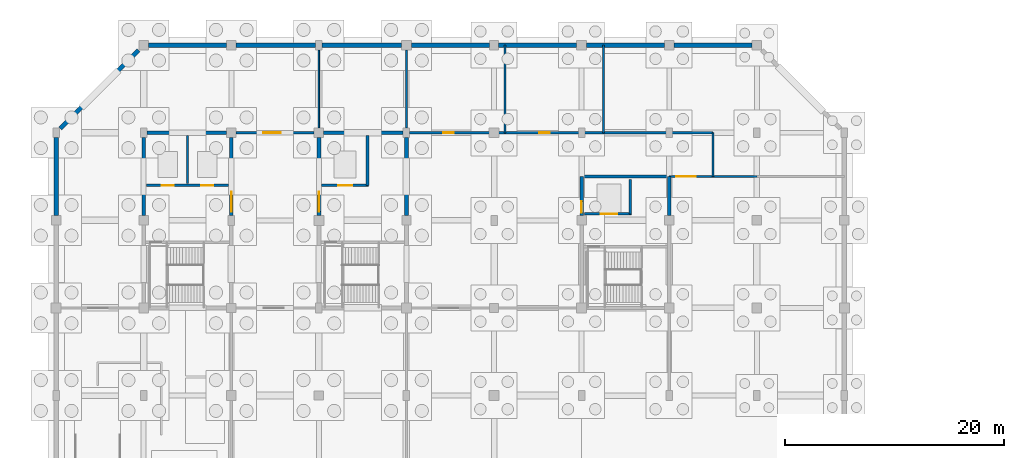
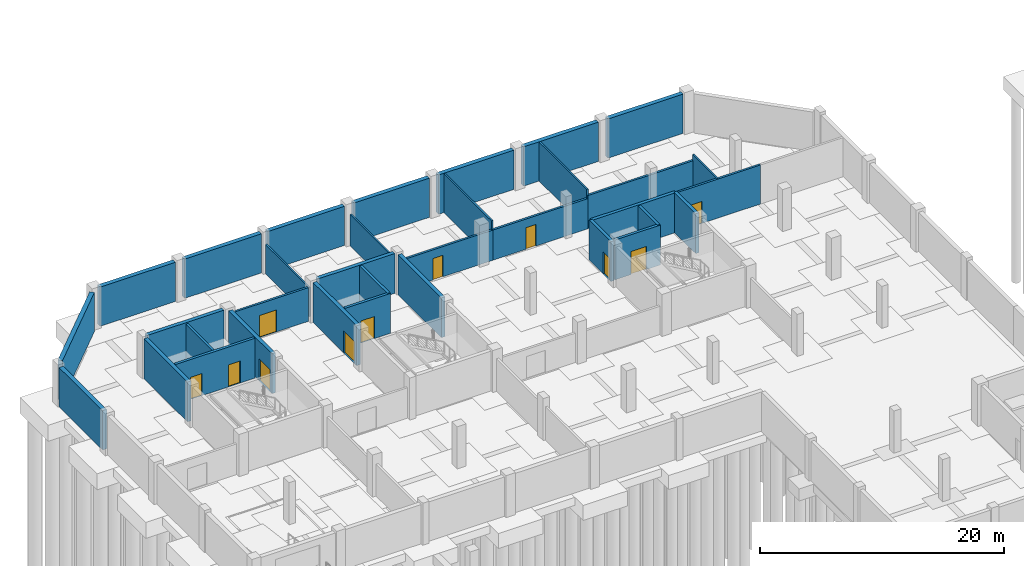
# One storey, part 23 of 32: 34 walls, 11 doors, 11 openings.
"""IFC4 building model written with IfcOpenShell, lengths in metres."""

from ifc_helpers import new_model, si_unit, direction, frame, frame_2d, origin, place, context, subcontext, project, spatial, rectangle, extrude, material, layer, layer_set, type_object, element, fill, save


model = new_model("IFC4")

# Units and contexts
model_context = context("Model", 3, precision=1e-05, world=origin(), true_north=direction((0.0, 1.0)))
body_context = subcontext(model_context, "Body", "Model", "MODEL_VIEW")
ifc_project = project(units=[si_unit("LENGTHUNIT", "METRE"), si_unit("AREAUNIT", "SQUARE_METRE"), si_unit("VOLUMEUNIT", "CUBIC_METRE"), si_unit("PLANEANGLEUNIT", "RADIAN"), si_unit("MASSUNIT", "GRAM", prefix="KILO")], contexts=[model_context])

# Site, building, storey
site_placement = place(None, origin())
site = spatial("IfcSite", under=ifc_project, at=site_placement, CompositionType="ELEMENT")
building_placement = place(site_placement, origin())
building = spatial("IfcBuilding", under=site, at=building_placement, Name="Tenunan Teduh Sports Hall", CompositionType="ELEMENT")
storey_placement = place(building_placement, frame((0.0, 0.0, -4.199951171875)))
storey = spatial("IfcBuildingStorey", under=building, at=storey_placement, Name="B1", CompositionType="ELEMENT", Elevation=-4.199951171875)

# Wall, openings, doors
ifc_material_1 = material(Name="Concrete C40/50", Category="concrete")
ifc_layer_1 = layer(ifc_material_1, 0.25)
ifc_layer_set_1 = layer_set([ifc_layer_1], Name="Concrete C40/50")
wall_type_1 = type_object("IfcWallType", Name="WL-COR-250", PredefinedType="SOLIDWALL", material=ifc_layer_set_1)
wall_1_placement = place(storey_placement, frame((14.25, 105.199951171875, 0.0), z_axis=(0.0, 0.0, 1.0), x_axis=(1.0, 0.0, 0.0)))
wall_1 = element("IfcWall", 1, at=wall_1_placement, inside=storey, type_object=wall_type_1, Name="WL-COR-B1-008", PredefinedType="SOLIDWALL", context=body_context, shape_type="SweptSolid", body=[
    extrude(rectangle(XDim=7.5, YDim=0.25, at=frame_2d((3.75, 0.0))), origin(), (0.0, 0.0, 1.0), 3.97998046875),
])
opening_1_placement = place(wall_1_placement, frame((1.39990234375, 0.0, 0.0)))
opening_1 = element("IfcOpeningElement", 2, at=opening_1_placement, cuts=wall_1, Name="Opening LD-1", PredefinedType="OPENING", context=body_context, shape_type="SweptSolid", body=[
    extrude(rectangle(XDim=1.10009765625, YDim=2.199951171875, at=frame_2d((0.550048828125, 1.10009765625))), frame((0.0, 0.135009765625, 0.0), z_axis=(0.0, -1.0, 0.0), x_axis=(1.0, 0.0, 0.0)), (0.0, 0.0, 1.0), 0.27001953125),
])
opening_2_placement = place(wall_1_placement, frame((5.0, 0.0, 0.0)))
opening_2 = element("IfcOpeningElement", 3, at=opening_2_placement, cuts=wall_1, Name="Opening LD-1", PredefinedType="OPENING", context=body_context, shape_type="SweptSolid", body=[
    extrude(rectangle(XDim=1.10009765625, YDim=2.199951171875, at=frame_2d((0.550048828125, 1.10009765625))), frame((0.0, 0.135009765625, 0.0), z_axis=(0.0, -1.0, 0.0), x_axis=(1.0, 0.0, 0.0)), (0.0, 0.0, 1.0), 0.27001953125),
])
ifc_material_2 = material(Name="Brushed stainless steel landing doors", Category="steel")
door_type_1 = type_object("IfcDoorType", Name="LDR-01", OperationType="DOUBLE_DOOR_SLIDING", PredefinedType="DOOR", material=ifc_material_2)
door_1_placement = place(opening_1_placement, origin())
door_1 = element("IfcDoor", 4, at=door_1_placement, inside=storey, type_object=door_type_1, Name="Lift Landing Door LD-01", OperationType="DOUBLE_DOOR_SLIDING", OverallHeight=2.199951171875, OverallWidth=1.10009765625, PredefinedType="DOOR", context=body_context, shape_type="SweptSolid", body=[
    extrude(rectangle(XDim=1.10009765625, YDim=2.199951171875, at=frame_2d((0.550048828125, 1.10009765625))), frame((0.0, 0.02490234375, 0.0), z_axis=(0.0, -1.0, 0.0), x_axis=(1.0, 0.0, 0.0)), (0.0, 0.0, 1.0), 0.050048828125),
])
fill(opening_1, door_1)
door_2_placement = place(opening_2_placement, origin())
door_2 = element("IfcDoor", 5, at=door_2_placement, inside=storey, type_object=door_type_1, Name="Lift Landing Door LD-02", OperationType="DOUBLE_DOOR_SLIDING", OverallHeight=2.199951171875, OverallWidth=1.10009765625, PredefinedType="DOOR", context=body_context, shape_type="SweptSolid", body=[
    extrude(rectangle(XDim=1.10009765625, YDim=2.199951171875, at=frame_2d((0.550048828125, 1.10009765625))), frame((0.0, 0.02490234375, 0.0), z_axis=(0.0, -1.0, 0.0), x_axis=(1.0, 0.0, 0.0)), (0.0, 0.0, 1.0), 0.050048828125),
])
fill(opening_2, door_2)

# Wall, opening, door
wall_2_placement = place(storey_placement, frame((30.25, 105.199951171875, 0.0), z_axis=(0.0, 0.0, 1.0), x_axis=(1.0, 0.0, 0.0)))
wall_2 = element("IfcWall", 6, at=wall_2_placement, inside=storey, type_object=wall_type_1, Name="WL-COR-B1-062", PredefinedType="SOLIDWALL", context=body_context, shape_type="SweptSolid", body=[
    extrude(rectangle(XDim=4.300048828125, YDim=0.25, at=frame_2d((2.14990234375, 0.0))), origin(), (0.0, 0.0, 1.0), 3.97998046875),
])
opening_3_placement = place(wall_2_placement, frame((1.5, 0.0, 0.0)))
opening_3 = element("IfcOpeningElement", 7, at=opening_3_placement, cuts=wall_2, Name="Opening LD-2", PredefinedType="OPENING", context=body_context, shape_type="SweptSolid", body=[
    extrude(rectangle(XDim=1.300048828125, YDim=2.199951171875, at=frame_2d((0.64990234375, 1.10009765625))), frame((0.0, 0.135009765625, 0.0), z_axis=(0.0, -1.0, 0.0), x_axis=(1.0, 0.0, 0.0)), (0.0, 0.0, 1.0), 0.27001953125),
])
ifc_material_3 = material(Name="Fire-fighting lift stainless landing doors")
door_type_2 = type_object("IfcDoorType", Name="LDR-02", OperationType="DOUBLE_DOOR_SLIDING", PredefinedType="DOOR", material=ifc_material_3)
door_3_placement = place(opening_3_placement, origin())
door_3 = element("IfcDoor", 8, at=door_3_placement, inside=storey, type_object=door_type_2, Name="Lift Landing Door LD-13", OperationType="DOUBLE_DOOR_SLIDING", OverallHeight=2.199951171875, OverallWidth=1.300048828125, PredefinedType="DOOR", context=body_context, shape_type="SweptSolid", body=[
    extrude(rectangle(XDim=1.300048828125, YDim=2.199951171875, at=frame_2d((0.64990234375, 1.10009765625))), frame((0.0, 0.02490234375, 0.0), z_axis=(0.0, -1.0, 0.0), x_axis=(1.0, 0.0, 0.0)), (0.0, 0.0, 1.0), 0.050048828125),
])
fill(opening_3, door_3)

# Wall
wall_3_placement = place(storey_placement, frame((34.449951171875, 105.199951171875, 0.0), z_axis=(0.0, 0.0, 1.0), x_axis=(0.0, 1.0, 0.0)))
element("IfcWall", 9, at=wall_3_placement, inside=storey, type_object=wall_type_1, Name="WL-COR-B1-063", PredefinedType="SOLIDWALL", context=body_context, shape_type="SweptSolid", body=[
    extrude(rectangle(XDim=4.550048828125, YDim=0.25, at=frame_2d((2.27490234375, 0.0))), origin(), (0.0, 0.0, 1.0), 3.97998046875),
])

# Wall, opening, door
wall_4_placement = place(storey_placement, frame((54.25, 102.60009765625, 0.0), z_axis=(0.0, 0.0, 1.0), x_axis=(1.0, 0.0, 0.0)))
wall_4 = element("IfcWall", 10, at=wall_4_placement, inside=storey, type_object=wall_type_1, Name="WL-COR-B1-116", PredefinedType="SOLIDWALL", context=body_context, shape_type="SweptSolid", body=[
    extrude(rectangle(XDim=4.300048828125, YDim=0.25, at=frame_2d((2.14990234375, 0.0))), origin(), (0.0, 0.0, 1.0), 3.97998046875),
])
opening_4_placement = place(wall_4_placement, frame((1.5, 0.0, 0.0)))
opening_4 = element("IfcOpeningElement", 11, at=opening_4_placement, cuts=wall_4, Name="Opening LD-3", PredefinedType="OPENING", context=body_context, shape_type="SweptSolid", body=[
    extrude(rectangle(XDim=1.5, YDim=2.300048828125, at=frame_2d((0.75, 1.14990234375))), frame((0.0, 0.135009765625, 0.0), z_axis=(0.0, -1.0, 0.0), x_axis=(1.0, 0.0, 0.0)), (0.0, 0.0, 1.0), 0.27001953125),
])
ifc_material_4 = material(Name="Goods lift stainless landing doors")
door_type_3 = type_object("IfcDoorType", Name="LDR-03", OperationType="DOUBLE_DOOR_SLIDING", PredefinedType="DOOR", material=ifc_material_4)
door_4_placement = place(opening_4_placement, origin())
door_4 = element("IfcDoor", 12, at=door_4_placement, inside=storey, type_object=door_type_3, Name="Lift Landing Door LD-19", OperationType="DOUBLE_DOOR_SLIDING", OverallHeight=2.300048828125, OverallWidth=1.5, PredefinedType="DOOR", context=body_context, shape_type="SweptSolid", body=[
    extrude(rectangle(XDim=1.5, YDim=2.300048828125, at=frame_2d((0.75, 1.14990234375))), frame((0.0, 0.02490234375, 0.0), z_axis=(0.0, -1.0, 0.0), x_axis=(1.0, 0.0, 0.0)), (0.0, 0.0, 1.0), 0.050048828125),
])
fill(opening_4, door_4)

# Walls
wall_5_placement = place(storey_placement, frame((58.449951171875, 102.60009765625, 0.0), z_axis=(0.0, 0.0, 1.0), x_axis=(0.0, 1.0, 0.0)))
element("IfcWall", 13, at=wall_5_placement, inside=storey, type_object=wall_type_1, Name="WL-COR-B1-117", PredefinedType="SOLIDWALL", context=body_context, shape_type="SweptSolid", body=[
    extrude(rectangle(XDim=3.14990234375, YDim=0.25, at=frame_2d((1.574951171875, 0.0))), origin(), (0.0, 0.0, 1.0), 3.97998046875),
])
ifc_material_5 = material(Name="Acoustic stud and double plasterboard")
ifc_layer_2 = layer(ifc_material_5, 0.14990234375)
ifc_layer_set_2 = layer_set([ifc_layer_2], Name="Acoustic stud and double plasterboard")
wall_type_2 = type_object("IfcWallType", Name="WL-PRT-150", PredefinedType="PARTITIONING", material=ifc_layer_set_2)
wall_6_placement = place(storey_placement, frame((30.0, 110.425048828125, 0.0), z_axis=(0.0, 0.0, 1.0), x_axis=(0.0, 1.0, 0.0)))
element("IfcWall", 14, at=wall_6_placement, inside=storey, type_object=wall_type_2, Name="WL-PRT-B1-257", PredefinedType="PARTITIONING", context=body_context, shape_type="SweptSolid", body=[
    extrude(rectangle(XDim=7.125, YDim=0.14990234375, at=frame_2d((3.5625, 0.0))), origin(), (0.0, 0.0, 1.0), 2.919921875),
])
wall_7_placement = place(storey_placement, frame((38.0, 110.449951171875, 0.0), z_axis=(0.0, 0.0, 1.0), x_axis=(0.0, 1.0, 0.0)))
element("IfcWall", 15, at=wall_7_placement, inside=storey, type_object=wall_type_2, Name="WL-PRT-B1-258", PredefinedType="PARTITIONING", context=body_context, shape_type="SweptSolid", body=[
    extrude(rectangle(XDim=7.10009765625, YDim=0.14990234375, at=frame_2d((3.550048828125, 0.0))), origin(), (0.0, 0.0, 1.0), 3.119873046875),
])
for number, where, z_axis, x_axis, name in (
    (16, (47.0, 110.0, 0.0), (0.0, 0.0, 1.0), (0.0, 1.0, 0.0), "WL-PRT-B1-259"),
    (17, (56.0, 110.0, 0.0), (0.0, 0.0, 1.0), (0.0, 1.0, 0.0), "WL-PRT-B1-260"),
):
    element("IfcWall", number, at=place(storey_placement, frame(where, z_axis=z_axis, x_axis=x_axis)), inside=storey, type_object=wall_type_2, Name=name, PredefinedType="PARTITIONING", context=body_context, shape_type="SweptSolid", body=[
        extrude(rectangle(XDim=8.0, YDim=0.14990234375, at=frame_2d((4.0, 0.0))), origin(), (0.0, 0.0, 1.0), 3.89990234375),
    ])
wall_8_placement = place(storey_placement, frame((66.0, 106.0, 0.0), z_axis=(0.0, 0.0, 1.0), x_axis=(0.0, 1.0, 0.0)))
element("IfcWall", 18, at=wall_8_placement, inside=storey, type_object=wall_type_2, Name="WL-PRT-B1-261", PredefinedType="PARTITIONING", context=body_context, shape_type="SweptSolid", body=[
    extrude(rectangle(XDim=4.0, YDim=0.14990234375, at=frame_2d((2.0, 0.0))), origin(), (0.0, 0.0, 1.0), 3.89990234375),
])
ifc_material_6 = material(Name="Autoclaved aerated concrete blockwork", Category="masonry")
ifc_layer_3 = layer(ifc_material_6, 0.199951171875)
ifc_layer_set_3 = layer_set([ifc_layer_3], Name="Autoclaved aerated concrete blockwork")
wall_type_3 = type_object("IfcWallType", Name="WL-PRT-200", PredefinedType="PARTITIONING", material=ifc_layer_set_3)
wall_9_placement = place(storey_placement, frame((18.0, 105.35009765625, 0.0), z_axis=(0.0, 0.0, 1.0), x_axis=(0.0, 1.0, 0.0)))
element("IfcWall", 19, at=wall_9_placement, inside=storey, type_object=wall_type_3, Name="WL-PRT-B1-009", PredefinedType="PARTITIONING", context=body_context, shape_type="SweptSolid", body=[
    extrude(rectangle(XDim=4.39990234375, YDim=0.199951171875, at=frame_2d((2.199951171875, 0.0))), origin(), (0.0, 0.0, 1.0), 3.89990234375),
])

# Wall, opening, door
wall_10_placement = place(storey_placement, frame((22.449951171875, 110.0, 0.0), z_axis=(0.0, 0.0, 1.0), x_axis=(1.0, 0.0, 0.0)))
wall_10 = element("IfcWall", 20, at=wall_10_placement, inside=storey, type_object=wall_type_3, Name="WL-PRT-B1-253", PredefinedType="PARTITIONING", context=body_context, shape_type="SweptSolid", body=[
    extrude(rectangle(XDim=7.125, YDim=0.199951171875, at=frame_2d((3.5625, 0.0))), origin(), (0.0, 0.0, 1.0), 3.369873046875),
])
opening_5_placement = place(wall_10_placement, frame((2.489990234375, 0.0, 0.0)))
opening_5 = element("IfcOpeningElement", 21, at=opening_5_placement, cuts=wall_10, Name="Opening FD-04", PredefinedType="OPENING", context=body_context, shape_type="SweptSolid", body=[
    extrude(rectangle(XDim=1.60009765625, YDim=2.199951171875, at=frame_2d((0.800048828125, 1.10009765625))), frame((0.0, 0.10986328125, 0.0), z_axis=(0.0, -1.0, 0.0), x_axis=(1.0, 0.0, 0.0)), (0.0, 0.0, 1.0), 0.219970703125),
])
ifc_material_7 = material(Name="Fire-rated hardwood pair", Category="wood")
door_type_4 = type_object("IfcDoorType", Name="FDR-04", OperationType="DOUBLE_DOOR_SINGLE_SWING", PredefinedType="DOOR", material=ifc_material_7)
door_5_placement = place(opening_5_placement, origin())
door_5 = element("IfcDoor", 22, at=door_5_placement, inside=storey, type_object=door_type_4, Name="DR-INT-B1-097", OperationType="DOUBLE_DOOR_SINGLE_SWING", OverallHeight=2.199951171875, OverallWidth=1.60009765625, PredefinedType="DOOR", context=body_context, shape_type="SweptSolid", body=[
    extrude(rectangle(XDim=1.60009765625, YDim=2.199951171875, at=frame_2d((0.800048828125, 1.10009765625))), frame((0.0, 0.02490234375, 0.0), z_axis=(0.0, -1.0, 0.0), x_axis=(1.0, 0.0, 0.0)), (0.0, 0.0, 1.0), 0.050048828125),
])
fill(opening_5, door_5)

wall_11_placement = place(storey_placement, frame((38.300048828125, 110.0, 0.0), z_axis=(0.0, 0.0, 1.0), x_axis=(1.0, 0.0, 0.0)))
wall_11 = element("IfcWall", 23, at=wall_11_placement, inside=storey, type_object=wall_type_3, Name="WL-PRT-B1-254", PredefinedType="PARTITIONING", context=body_context, shape_type="SweptSolid", body=[
    extrude(rectangle(XDim=8.699951171875, YDim=0.199951171875, at=frame_2d((4.35009765625, 0.0))), origin(), (0.0, 0.0, 1.0), 3.02001953125),
])
opening_6_placement = place(wall_11_placement, frame((3.050048828125, 0.0, 0.0)))
opening_6 = element("IfcOpeningElement", 24, at=opening_6_placement, cuts=wall_11, Name="Opening FD-05", PredefinedType="OPENING", context=body_context, shape_type="SweptSolid", body=[
    extrude(rectangle(XDim=0.949951171875, YDim=2.14990234375, at=frame_2d((0.47509765625, 1.074951171875))), frame((0.0, 0.10986328125, 0.0), z_axis=(0.0, -1.0, 0.0), x_axis=(1.0, 0.0, 0.0)), (0.0, 0.0, 1.0), 0.219970703125),
])
ifc_material_8 = material(Name="Fire-rated timber leaf", Category="wood")
door_type_5 = type_object("IfcDoorType", Name="FDR-05", OperationType="SINGLE_SWING_LEFT", PredefinedType="DOOR", material=ifc_material_8)
door_6_placement = place(opening_6_placement, frame((0.949951171875, 0.0, 0.0), z_axis=(0.0, 0.0, 1.0), x_axis=(-1.0, 0.0, 0.0)))
door_6 = element("IfcDoor", 25, at=door_6_placement, inside=storey, type_object=door_type_5, Name="DR-INT-B1-098", OperationType="SINGLE_SWING_LEFT", OverallHeight=2.14990234375, OverallWidth=0.949951171875, PredefinedType="DOOR", context=body_context, shape_type="SweptSolid", body=[
    extrude(rectangle(XDim=0.949951171875, YDim=2.14990234375, at=frame_2d((0.47509765625, 1.074951171875))), frame((0.0, 0.02490234375, 0.0), z_axis=(0.0, -1.0, 0.0), x_axis=(1.0, 0.0, 0.0)), (0.0, 0.0, 1.0), 0.050048828125),
])
fill(opening_6, door_6)

wall_12_placement = place(storey_placement, frame((47.0, 110.0, 0.0), z_axis=(0.0, 0.0, 1.0), x_axis=(1.0, 0.0, 0.0)))
wall_12 = element("IfcWall", 26, at=wall_12_placement, inside=storey, type_object=wall_type_3, Name="WL-PRT-B1-255", PredefinedType="PARTITIONING", context=body_context, shape_type="SweptSolid", body=[
    extrude(rectangle(XDim=9.0, YDim=0.199951171875, at=frame_2d((4.5, 0.0))), origin(), (0.0, 0.0, 1.0), 3.02001953125),
])
opening_7_placement = place(wall_12_placement, frame((3.14990234375, 0.0, 0.0)))
opening_7 = element("IfcOpeningElement", 27, at=opening_7_placement, cuts=wall_12, Name="Opening FD-06", PredefinedType="OPENING", context=body_context, shape_type="SweptSolid", body=[
    extrude(rectangle(XDim=0.919921875, YDim=2.14990234375, at=frame_2d((0.4599609375, 1.074951171875))), frame((0.0, 0.10986328125, 0.0), z_axis=(0.0, -1.0, 0.0), x_axis=(1.0, 0.0, 0.0)), (0.0, 0.0, 1.0), 0.219970703125),
])
ifc_material_9 = material(Name="Fire-rated timber leaf", Category="wood")
door_type_6 = type_object("IfcDoorType", Name="FDR-06", OperationType="SINGLE_SWING_RIGHT", PredefinedType="DOOR", material=ifc_material_9)
door_7_placement = place(opening_7_placement, frame((0.919921875, 0.0, 0.0), z_axis=(0.0, 0.0, 1.0), x_axis=(-1.0, 0.0, 0.0)))
door_7 = element("IfcDoor", 28, at=door_7_placement, inside=storey, type_object=door_type_6, Name="DR-INT-B1-099", OperationType="SINGLE_SWING_LEFT", OverallHeight=2.14990234375, OverallWidth=0.919921875, PredefinedType="DOOR", context=body_context, shape_type="SweptSolid", body=[
    extrude(rectangle(XDim=0.919921875, YDim=2.14990234375, at=frame_2d((0.4599609375, 1.074951171875))), frame((0.0, 0.02490234375, 0.0), z_axis=(0.0, -1.0, 0.0), x_axis=(1.0, 0.0, 0.0)), (0.0, 0.0, 1.0), 0.050048828125),
])
fill(opening_7, door_7)

# Wall
wall_13_placement = place(storey_placement, frame((56.0, 110.0, 0.0), z_axis=(0.0, 0.0, 1.0), x_axis=(1.0, 0.0, 0.0)))
element("IfcWall", 29, at=wall_13_placement, inside=storey, type_object=wall_type_3, Name="WL-PRT-B1-256", PredefinedType="PARTITIONING", context=body_context, shape_type="SweptSolid", body=[
    extrude(rectangle(XDim=10.0, YDim=0.199951171875, at=frame_2d((5.0, 0.0))), origin(), (0.0, 0.0, 1.0), 3.320068359375),
])

# Wall, opening, door
wall_14_placement = place(storey_placement, frame((62.0, 106.0, 0.0), z_axis=(0.0, 0.0, 1.0), x_axis=(1.0, 0.0, 0.0)))
wall_14 = element("IfcWall", 30, at=wall_14_placement, inside=storey, type_object=wall_type_3, Name="WL-PRT-B1-263", PredefinedType="PARTITIONING", context=body_context, shape_type="SweptSolid", body=[
    extrude(rectangle(XDim=8.0, YDim=0.199951171875, at=frame_2d((4.0, 0.0))), origin(), (0.0, 0.0, 1.0), 3.89990234375),
])
opening_8_placement = place(wall_14_placement, frame((0.639892578125, 0.0, 0.0)))
opening_8 = element("IfcOpeningElement", 31, at=opening_8_placement, cuts=wall_14, Name="Opening FD-03", PredefinedType="OPENING", context=body_context, shape_type="SweptSolid", body=[
    extrude(rectangle(XDim=1.800048828125, YDim=2.199951171875, at=frame_2d((0.89990234375, 1.10009765625))), frame((0.0, 0.10986328125, 0.0), z_axis=(0.0, -1.0, 0.0), x_axis=(1.0, 0.0, 0.0)), (0.0, 0.0, 1.0), 0.219970703125),
])
ifc_material_10 = material(Name="Fire-rated hardwood pair", Category="wood")
door_type_7 = type_object("IfcDoorType", Name="FDR-03", OperationType="DOUBLE_DOOR_SINGLE_SWING", PredefinedType="DOOR", material=ifc_material_10)
door_8_placement = place(opening_8_placement, origin())
door_8 = element("IfcDoor", 32, at=door_8_placement, inside=storey, type_object=door_type_7, Name="DR-INT-B1-100", OperationType="DOUBLE_DOOR_SINGLE_SWING", OverallHeight=2.199951171875, OverallWidth=1.800048828125, PredefinedType="DOOR", context=body_context, shape_type="SweptSolid", body=[
    extrude(rectangle(XDim=1.800048828125, YDim=2.199951171875, at=frame_2d((0.89990234375, 1.10009765625))), frame((0.0, 0.02490234375, 0.0), z_axis=(0.0, -1.0, 0.0), x_axis=(1.0, 0.0, 0.0)), (0.0, 0.0, 1.0), 0.050048828125),
])
fill(opening_8, door_8)

# Walls
ifc_material_11 = material(Name="Concrete C40/50", Category="concrete")
ifc_layer_4 = layer(ifc_material_11, 0.39990234375)
ifc_layer_set_4 = layer_set([ifc_layer_4], Name="Concrete C40/50")
wall_type_4 = type_object("IfcWallType", Name="WL-RET-400", PredefinedType="USERDEFINED", material=ifc_layer_set_4)
for number, where, z_axis, x_axis, name in (
    (33, (6.0, 102.425048828125, 0.0), (0.0, 0.0, 1.0), (0.0, 1.0, 0.0), "WL-EXT-B1-010"),
    (34, (14.449951171875, 118.0, 0.0), (0.0, 0.0, 1.0), (1.0, 0.0, 0.0), "WL-EXT-B1-011"),
):
    element("IfcWall", number, at=place(storey_placement, frame(where, z_axis=z_axis, x_axis=x_axis)), inside=storey, type_object=wall_type_4, Name=name, ObjectType="RETAINING WALL", PredefinedType="USERDEFINED", context=body_context, shape_type="SweptSolid", body=[
        extrude(rectangle(XDim=7.125, YDim=0.39990234375, at=frame_2d((3.5625, 0.0))), origin(), (0.0, 0.0, 1.0), 3.919921875),
    ])
wall_15_placement = place(storey_placement, frame((22.425048828125, 118.0, 0.0), z_axis=(0.0, 0.0, 1.0), x_axis=(1.0, 0.0, 0.0)))
element("IfcWall", 35, at=wall_15_placement, inside=storey, type_object=wall_type_4, Name="WL-EXT-B1-012", ObjectType="RETAINING WALL", PredefinedType="USERDEFINED", context=body_context, shape_type="SweptSolid", body=[
    extrude(rectangle(XDim=7.27490234375, YDim=0.39990234375, at=frame_2d((3.637451171875, 0.0))), origin(), (0.0, 0.0, 1.0), 3.919921875),
])
wall_16_placement = place(storey_placement, frame((30.300048828125, 118.0, 0.0), z_axis=(0.0, 0.0, 1.0), x_axis=(1.0, 0.0, 0.0)))
element("IfcWall", 36, at=wall_16_placement, inside=storey, type_object=wall_type_4, Name="WL-EXT-B1-013", ObjectType="RETAINING WALL", PredefinedType="USERDEFINED", context=body_context, shape_type="SweptSolid", body=[
    extrude(rectangle(XDim=7.25, YDim=0.39990234375, at=frame_2d((3.625, 0.0))), origin(), (0.0, 0.0, 1.0), 3.919921875),
])
for number, where, z_axis, x_axis, name in (
    (37, (38.449951171875, 118.0, 0.0), (0.0, 0.0, 1.0), (1.0, 0.0, 0.0), "WL-EXT-B1-014"),
    (38, (46.425048828125, 118.0, 0.0), (0.0, 0.0, 1.0), (1.0, 0.0, 0.0), "WL-EXT-B1-015"),
):
    element("IfcWall", number, at=place(storey_placement, frame(where, z_axis=z_axis, x_axis=x_axis)), inside=storey, type_object=wall_type_4, Name=name, ObjectType="RETAINING WALL", PredefinedType="USERDEFINED", context=body_context, shape_type="SweptSolid", body=[
        extrude(rectangle(XDim=7.125, YDim=0.39990234375, at=frame_2d((3.5625, 0.0))), origin(), (0.0, 0.0, 1.0), 3.919921875),
    ])
for number, where, z_axis, x_axis, name in (
    (39, (54.449951171875, 118.0, 0.0), (0.0, 0.0, 1.0), (1.0, 0.0, 0.0), "WL-EXT-B1-016"),
    (40, (62.449951171875, 118.0, 0.0), (0.0, 0.0, 1.0), (1.0, 0.0, 0.0), "WL-EXT-B1-017"),
):
    element("IfcWall", number, at=place(storey_placement, frame(where, z_axis=z_axis, x_axis=x_axis)), inside=storey, type_object=wall_type_4, Name=name, ObjectType="RETAINING WALL", PredefinedType="USERDEFINED", context=body_context, shape_type="SweptSolid", body=[
        extrude(rectangle(XDim=7.10009765625, YDim=0.39990234375, at=frame_2d((3.550048828125, 0.0))), origin(), (0.0, 0.0, 1.0), 3.919921875),
    ])
wall_17_placement = place(storey_placement, frame((6.393798828125, 110.393798828125, 0.0), z_axis=(0.0, 0.0, 1.0), x_axis=(0.707106781187, 0.707106781187, 0.0)))
element("IfcWall", 41, at=wall_17_placement, inside=storey, type_object=wall_type_4, Name="WL-EXT-B1-046", ObjectType="RETAINING WALL", PredefinedType="USERDEFINED", context=body_context, shape_type="SweptSolid", body=[
    extrude(rectangle(XDim=10.088623046875, YDim=0.39990234375, at=frame_2d((5.04443359375, 0.0))), origin(), (0.0, 0.0, 1.0), 3.919921875),
])
ifc_material_12 = material(Name="Concrete C40/50", Category="concrete")
ifc_layer_5 = layer(ifc_material_12, 0.300048828125)
ifc_layer_set_5 = layer_set([ifc_layer_5], Name="Concrete C40/50")
wall_type_5 = type_object("IfcWallType", Name="WL-SHR-300", PredefinedType="SHEAR", material=ifc_layer_set_5)
wall_18_placement = place(storey_placement, frame((54.0, 106.0, 0.0), z_axis=(0.0, 0.0, 1.0), x_axis=(1.0, 0.0, 0.0)))
element("IfcWall", 42, at=wall_18_placement, inside=storey, type_object=wall_type_5, Name="WL-COR-B1-110", PredefinedType="SHEAR", context=body_context, shape_type="SweptSolid", body=[
    extrude(rectangle(XDim=8.0, YDim=0.300048828125, at=frame_2d((4.0, 0.0))), origin(), (0.0, 0.0, 1.0), 3.97998046875),
])

# Wall, opening, door
wall_19_placement = place(storey_placement, frame((54.0, 102.425048828125, 0.0), z_axis=(0.0, 0.0, 1.0), x_axis=(0.0, 1.0, 0.0)))
wall_19 = element("IfcWall", 43, at=wall_19_placement, inside=storey, type_object=wall_type_5, Name="WL-COR-B1-112", PredefinedType="SHEAR", context=body_context, shape_type="SweptSolid", body=[
    extrude(rectangle(XDim=3.574951171875, YDim=0.300048828125, at=frame_2d((1.78759765625, 0.0))), origin(), (0.0, 0.0, 1.0), 3.97998046875),
])
opening_9_placement = place(wall_19_placement, frame((0.25, 0.0, 0.0)))
opening_9 = element("IfcOpeningElement", 44, at=opening_9_placement, cuts=wall_19, Name="Opening FD-02", PredefinedType="OPENING", context=body_context, shape_type="SweptSolid", body=[
    extrude(rectangle(XDim=1.050048828125, YDim=2.199951171875, at=frame_2d((0.52490234375, 1.10009765625))), frame((0.0, 0.159912109375, 0.0), z_axis=(0.0, -1.0, 0.0), x_axis=(1.0, 0.0, 0.0)), (0.0, 0.0, 1.0), 0.320068359375),
])
ifc_material_13 = material(Name="Fire-rated steel leaf and frame", Category="steel")
door_type_8 = type_object("IfcDoorType", Name="FDR-02", OperationType="SINGLE_SWING_RIGHT", PredefinedType="DOOR", material=ifc_material_13)
door_9_placement = place(opening_9_placement, origin())
door_9 = element("IfcDoor", 45, at=door_9_placement, inside=storey, type_object=door_type_8, Name="DR-INT-B1-044", OperationType="SINGLE_SWING_RIGHT", OverallHeight=2.199951171875, OverallWidth=1.050048828125, PredefinedType="DOOR", context=body_context, shape_type="SweptSolid", body=[
    extrude(rectangle(XDim=1.050048828125, YDim=2.199951171875, at=frame_2d((0.52490234375, 1.10009765625))), frame((0.0, 0.02490234375, 0.0), z_axis=(0.0, -1.0, 0.0), x_axis=(1.0, 0.0, 0.0)), (0.0, 0.0, 1.0), 0.050048828125),
])
fill(opening_9, door_9)

# Walls
wall_20_placement = place(storey_placement, frame((62.0, 102.425048828125, 0.0), z_axis=(0.0, 0.0, 1.0), x_axis=(0.0, 1.0, 0.0)))
element("IfcWall", 46, at=wall_20_placement, inside=storey, type_object=wall_type_5, Name="WL-COR-B1-114", PredefinedType="SHEAR", context=body_context, shape_type="SweptSolid", body=[
    extrude(rectangle(XDim=3.574951171875, YDim=0.300048828125, at=frame_2d((1.78759765625, 0.0))), origin(), (0.0, 0.0, 1.0), 3.97998046875),
])
ifc_material_14 = material(Name="Concrete C40/50", Category="concrete")
ifc_layer_6 = layer(ifc_material_14, 0.35009765625)
ifc_layer_set_6 = layer_set([ifc_layer_6], Name="Concrete C40/50")
wall_type_6 = type_object("IfcWallType", Name="WL-SHR-350", PredefinedType="SHEAR", material=ifc_layer_set_6)
wall_21_placement = place(storey_placement, frame((14.300048828125, 110.0, 0.0), z_axis=(0.0, 0.0, 1.0), x_axis=(1.0, 0.0, 0.0)))
element("IfcWall", 47, at=wall_21_placement, inside=storey, type_object=wall_type_6, Name="WL-COR-B1-002", PredefinedType="SHEAR", context=body_context, shape_type="SweptSolid", body=[
    extrude(rectangle(XDim=7.25, YDim=0.35009765625, at=frame_2d((3.625, 0.0))), origin(), (0.0, 0.0, 1.0), 3.97998046875),
])
wall_22_placement = place(storey_placement, frame((14.0, 102.425048828125, 0.0), z_axis=(0.0, 0.0, 1.0), x_axis=(0.0, 1.0, 0.0)))
element("IfcWall", 48, at=wall_22_placement, inside=storey, type_object=wall_type_6, Name="WL-COR-B1-004", PredefinedType="SHEAR", context=body_context, shape_type="SweptSolid", body=[
    extrude(rectangle(XDim=7.125, YDim=0.35009765625, at=frame_2d((3.5625, 0.0))), origin(), (0.0, 0.0, 1.0), 3.97998046875),
])

# Wall, opening, door
wall_23_placement = place(storey_placement, frame((22.0, 102.449951171875, 0.0), z_axis=(0.0, 0.0, 1.0), x_axis=(0.0, 1.0, 0.0)))
wall_23 = element("IfcWall", 49, at=wall_23_placement, inside=storey, type_object=wall_type_6, Name="WL-COR-B1-006", PredefinedType="SHEAR", context=body_context, shape_type="SweptSolid", body=[
    extrude(rectangle(XDim=7.10009765625, YDim=0.35009765625, at=frame_2d((3.550048828125, 0.0))), origin(), (0.0, 0.0, 1.0), 3.97998046875),
])
opening_10_placement = place(wall_23_placement, frame((0.35009765625, 0.0, 0.0)))
opening_10 = element("IfcOpeningElement", 50, at=opening_10_placement, cuts=wall_23, Name="Opening FD-03", PredefinedType="OPENING", context=body_context, shape_type="SweptSolid", body=[
    extrude(rectangle(XDim=1.800048828125, YDim=2.199951171875, at=frame_2d((0.89990234375, 1.10009765625))), frame((0.0, 0.18505859375, 0.0), z_axis=(0.0, -1.0, 0.0), x_axis=(1.0, 0.0, 0.0)), (0.0, 0.0, 1.0), 0.3701171875),
])
door_10_placement = place(opening_10_placement, frame((1.800048828125, 0.0, 0.0), z_axis=(0.0, 0.0, 1.0), x_axis=(-1.0, 0.0, 0.0)))
door_10 = element("IfcDoor", 51, at=door_10_placement, inside=storey, type_object=door_type_7, Name="DR-INT-B1-001", OperationType="DOUBLE_DOOR_SINGLE_SWING", OverallHeight=2.199951171875, OverallWidth=1.800048828125, PredefinedType="DOOR", context=body_context, shape_type="SweptSolid", body=[
    extrude(rectangle(XDim=1.800048828125, YDim=2.199951171875, at=frame_2d((0.89990234375, 1.10009765625))), frame((0.0, 0.02490234375, 0.0), z_axis=(0.0, -1.0, 0.0), x_axis=(1.0, 0.0, 0.0)), (0.0, 0.0, 1.0), 0.050048828125),
])
fill(opening_10, door_10)

# Wall
wall_24_placement = place(storey_placement, frame((30.425048828125, 110.0, 0.0), z_axis=(0.0, 0.0, 1.0), x_axis=(1.0, 0.0, 0.0)))
element("IfcWall", 52, at=wall_24_placement, inside=storey, type_object=wall_type_6, Name="WL-COR-B1-056", PredefinedType="SHEAR", context=body_context, shape_type="SweptSolid", body=[
    extrude(rectangle(XDim=7.27490234375, YDim=0.35009765625, at=frame_2d((3.637451171875, 0.0))), origin(), (0.0, 0.0, 1.0), 3.97998046875),
])

# Wall, opening, door
wall_25_placement = place(storey_placement, frame((30.0, 102.449951171875, 0.0), z_axis=(0.0, 0.0, 1.0), x_axis=(0.0, 1.0, 0.0)))
wall_25 = element("IfcWall", 53, at=wall_25_placement, inside=storey, type_object=wall_type_6, Name="WL-COR-B1-058", PredefinedType="SHEAR", context=body_context, shape_type="SweptSolid", body=[
    extrude(rectangle(XDim=7.125, YDim=0.35009765625, at=frame_2d((3.5625, 0.0))), origin(), (0.0, 0.0, 1.0), 3.97998046875),
])
opening_11_placement = place(wall_25_placement, frame((0.35009765625, 0.0, 0.0)))
opening_11 = element("IfcOpeningElement", 54, at=opening_11_placement, cuts=wall_25, Name="Opening FD-03", PredefinedType="OPENING", context=body_context, shape_type="SweptSolid", body=[
    extrude(rectangle(XDim=1.800048828125, YDim=2.199951171875, at=frame_2d((0.89990234375, 1.10009765625))), frame((0.0, 0.18505859375, 0.0), z_axis=(0.0, -1.0, 0.0), x_axis=(1.0, 0.0, 0.0)), (0.0, 0.0, 1.0), 0.3701171875),
])
door_11_placement = place(opening_11_placement, origin())
door_11 = element("IfcDoor", 55, at=door_11_placement, inside=storey, type_object=door_type_7, Name="DR-INT-B1-025", OperationType="DOUBLE_DOOR_SINGLE_SWING", OverallHeight=2.199951171875, OverallWidth=1.800048828125, PredefinedType="DOOR", context=body_context, shape_type="SweptSolid", body=[
    extrude(rectangle(XDim=1.800048828125, YDim=2.199951171875, at=frame_2d((0.89990234375, 1.10009765625))), frame((0.0, 0.02490234375, 0.0), z_axis=(0.0, -1.0, 0.0), x_axis=(1.0, 0.0, 0.0)), (0.0, 0.0, 1.0), 0.050048828125),
])
fill(opening_11, door_11)

# Wall
wall_26_placement = place(storey_placement, frame((38.0, 102.425048828125, 0.0), z_axis=(0.0, 0.0, 1.0), x_axis=(0.0, 1.0, 0.0)))
element("IfcWall", 56, at=wall_26_placement, inside=storey, type_object=wall_type_6, Name="WL-COR-B1-060", PredefinedType="SHEAR", context=body_context, shape_type="SweptSolid", body=[
    extrude(rectangle(XDim=7.125, YDim=0.35009765625, at=frame_2d((3.5625, 0.0))), origin(), (0.0, 0.0, 1.0), 3.97998046875),
])

save(model, "model.ifc")
